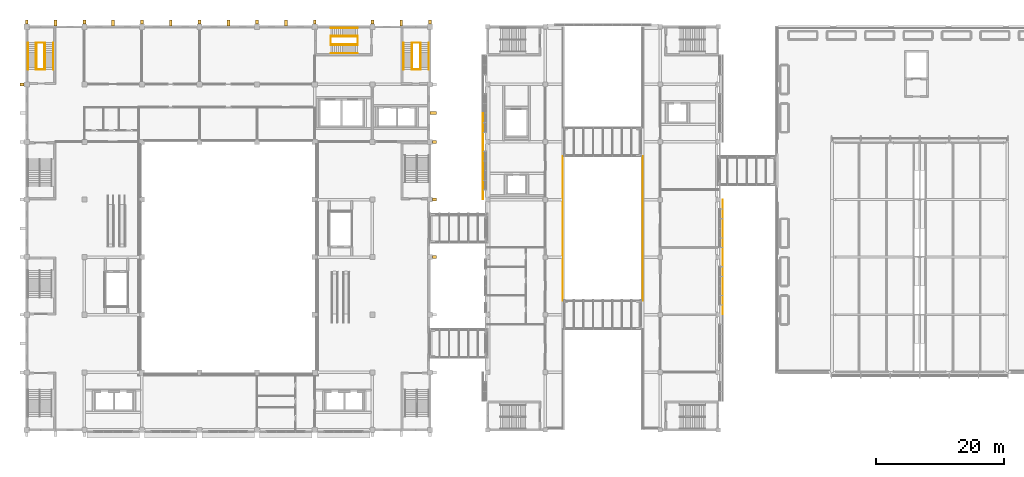
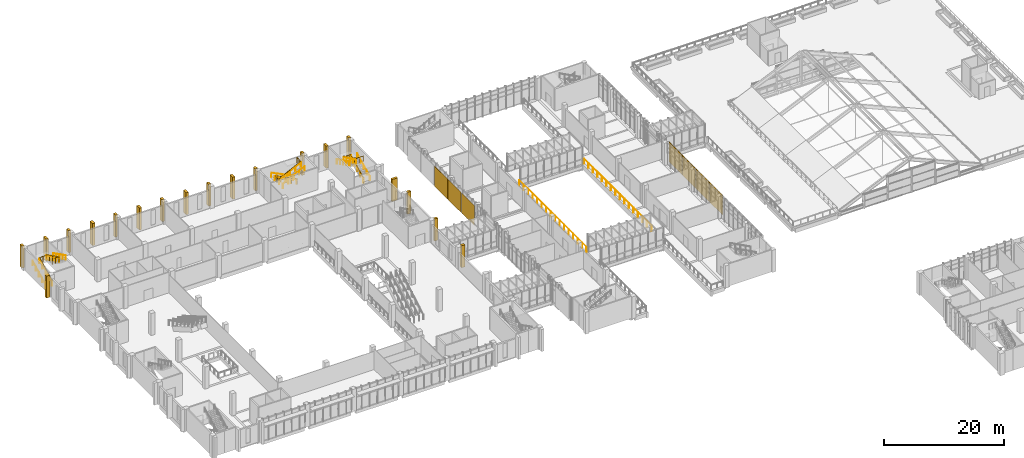
# One storey, part 100 of 106: 26 coverings, 17 railings.
"""IFC4 building model written with IfcOpenShell, lengths in metres."""

from ifc_helpers import new_model, si_unit, direction, frame, origin, origin_2d, place, context, subcontext, project, spatial, rectangle, circle, extrude, material, layer, layer_set, type_object, element, save


model = new_model("IFC4")

# Units and contexts
model_context = context("Model", 3, precision=1e-05, world=origin(), true_north=direction((0.0, 1.0)))
body_context = subcontext(model_context, "Body", "Model", "MODEL_VIEW")
ifc_project = project(units=[si_unit("LENGTHUNIT", "METRE"), si_unit("AREAUNIT", "SQUARE_METRE"), si_unit("VOLUMEUNIT", "CUBIC_METRE"), si_unit("PLANEANGLEUNIT", "RADIAN"), si_unit("MASSUNIT", "GRAM", prefix="KILO")], contexts=[model_context])

# Site, building, storey
site_placement = place(None, origin())
site = spatial("IfcSite", under=ifc_project, at=site_placement, CompositionType="ELEMENT")
building_placement = place(site_placement, origin())
building = spatial("IfcBuilding", under=site, at=building_placement, Name="Guidao Yard Department Store", CompositionType="ELEMENT")
storey_placement = place(building_placement, frame((0.0, 0.0, 10.5)))
storey = spatial("IfcBuildingStorey", under=building, at=storey_placement, Name="L02", CompositionType="ELEMENT", Elevation=10.5)

# Railings
ifc_material_1 = material(Name="Steel Q235", Category="steel")
railing_type_1 = type_object("IfcRailingType", Name="Guard steel balustrade 1100", PredefinedType="GUARDRAIL", material=ifc_material_1)
railing_1_placement = place(storey_placement, frame((1.52490234375, 101.300048828125, 0.14990234375)))
element("IfcRailing", 1, at=railing_1_placement, inside=storey, type_object=railing_type_1, Name="Stair A5 guard L02 5", PredefinedType="GUARDRAIL", context=body_context, shape_type="SweptSolid", body=[
    extrude(circle(Radius=0.02392578125, at=origin_2d()), frame((0.0, 0.0, 1.076171875), z_axis=(0.0, 0.894416792377, 0.447234392142), x_axis=(-1.0, 0.0, 0.0)), (0.0, 0.0, 1.0), 4.69580078125),
    extrude(circle(Radius=0.02392578125, at=origin_2d()), frame((0.0, 4.199951171875, 3.17626953125), z_axis=(1.0, 0.0, 0.0), x_axis=(0.0, 1.0, 0.0)), (0.0, 0.0, 1.0), 1.275146484375),
    extrude(circle(Radius=0.02392578125, at=origin_2d()), frame((1.275146484375, 4.199951171875, 3.17626953125), z_axis=(0.0, 0.0, 1.0), x_axis=(1.0, 0.0, 0.0)), (0.0, 0.0, 1.0), 0.14990234375),
    extrude(circle(Radius=0.02392578125, at=origin_2d()), frame((1.275146484375, 4.199951171875, 3.326171875), z_axis=(0.0, -0.894416792377, 0.447234392142), x_axis=(1.0, 0.0, 0.0)), (0.0, 0.0, 1.0), 4.69580078125),
    extrude(circle(Radius=0.02392578125, at=origin_2d()), frame((1.275146484375, 0.0, 5.42626953125), z_axis=(-1.0, 0.0, 0.0), x_axis=(0.0, -1.0, 0.0)), (0.0, 0.0, 1.0), 1.275146484375),
    extrude(circle(Radius=0.02099609375, at=origin_2d()), origin(), (0.0, 0.0, 1.0), 1.052001953125),
    extrude(circle(Radius=0.02099609375, at=origin_2d()), frame((0.0, 1.050048828125, 0.52490234375)), (0.0, 0.0, 1.0), 1.052001953125),
    extrude(circle(Radius=0.02099609375, at=origin_2d()), frame((0.0, 2.10009765625, 1.050048828125)), (0.0, 0.0, 1.0), 1.052001953125),
    extrude(circle(Radius=0.02099609375, at=origin_2d()), frame((0.0, 3.14990234375, 1.5751953125)), (0.0, 0.0, 1.0), 1.052001953125),
    extrude(circle(Radius=0.02099609375, at=origin_2d()), frame((0.0, 4.199951171875, 2.10009765625)), (0.0, 0.0, 1.0), 1.052001953125),
    extrude(circle(Radius=0.02099609375, at=origin_2d()), frame((0.6376953125, 4.199951171875, 2.10009765625)), (0.0, 0.0, 1.0), 1.052001953125),
    extrude(circle(Radius=0.02099609375, at=origin_2d()), frame((1.275146484375, 4.199951171875, 2.10009765625)), (0.0, 0.0, 1.0), 1.052001953125),
    extrude(circle(Radius=0.02099609375, at=origin_2d()), frame((1.275146484375, 4.199951171875, 2.25)), (0.0, 0.0, 1.0), 1.052001953125),
    extrude(circle(Radius=0.02099609375, at=origin_2d()), frame((1.275146484375, 3.14990234375, 2.77490234375)), (0.0, 0.0, 1.0), 1.052001953125),
    extrude(circle(Radius=0.02099609375, at=origin_2d()), frame((1.275146484375, 2.10009765625, 3.300048828125)), (0.0, 0.0, 1.0), 1.052001953125),
    extrude(circle(Radius=0.02099609375, at=origin_2d()), frame((1.275146484375, 1.050048828125, 3.8251953125)), (0.0, 0.0, 1.0), 1.052001953125),
    extrude(circle(Radius=0.02099609375, at=origin_2d()), frame((1.275146484375, 0.0, 4.35009765625)), (0.0, 0.0, 1.0), 1.052001953125),
    extrude(circle(Radius=0.02099609375, at=origin_2d()), frame((0.6376953125, 0.0, 4.35009765625)), (0.0, 0.0, 1.0), 1.052001953125),
    extrude(circle(Radius=0.02099609375, at=origin_2d()), frame((0.0, 0.0, 4.35009765625)), (0.0, 0.0, 1.0), 1.052001953125),
])
railing_2_placement = place(storey_placement, frame((61.47509765625, 101.300048828125, 0.14990234375)))
element("IfcRailing", 2, at=railing_2_placement, inside=storey, type_object=railing_type_1, Name="Stair A6 guard L02 6", PredefinedType="GUARDRAIL", context=body_context, shape_type="SweptSolid", body=[
    extrude(circle(Radius=0.02392578125, at=origin_2d()), frame((0.0, 0.0, 1.076171875), z_axis=(0.0, 0.894416792377, 0.447234392142), x_axis=(-1.0, 0.0, 0.0)), (0.0, 0.0, 1.0), 4.69580078125),
    extrude(circle(Radius=0.02392578125, at=origin_2d()), frame((0.0, 4.199951171875, 3.17626953125), z_axis=(-1.0, 0.0, 0.0), x_axis=(0.0, -1.0, 0.0)), (0.0, 0.0, 1.0), 1.275146484375),
    extrude(circle(Radius=0.02392578125, at=origin_2d()), frame((-1.275146484375, 4.199951171875, 3.17626953125), z_axis=(0.0, 0.0, 1.0), x_axis=(1.0, 0.0, 0.0)), (0.0, 0.0, 1.0), 0.14990234375),
    extrude(circle(Radius=0.02392578125, at=origin_2d()), frame((-1.275146484375, 4.199951171875, 3.326171875), z_axis=(0.0, -0.894416792377, 0.447234392142), x_axis=(1.0, 0.0, 0.0)), (0.0, 0.0, 1.0), 4.69580078125),
    extrude(circle(Radius=0.02392578125, at=origin_2d()), frame((-1.275146484375, 0.0, 5.42626953125), z_axis=(1.0, 0.0, 0.0), x_axis=(0.0, 1.0, 0.0)), (0.0, 0.0, 1.0), 1.275146484375),
    extrude(circle(Radius=0.02099609375, at=origin_2d()), origin(), (0.0, 0.0, 1.0), 1.052001953125),
    extrude(circle(Radius=0.02099609375, at=origin_2d()), frame((0.0, 1.050048828125, 0.52490234375)), (0.0, 0.0, 1.0), 1.052001953125),
    extrude(circle(Radius=0.02099609375, at=origin_2d()), frame((0.0, 2.10009765625, 1.050048828125)), (0.0, 0.0, 1.0), 1.052001953125),
    extrude(circle(Radius=0.02099609375, at=origin_2d()), frame((0.0, 3.14990234375, 1.5751953125)), (0.0, 0.0, 1.0), 1.052001953125),
    extrude(circle(Radius=0.02099609375, at=origin_2d()), frame((0.0, 4.199951171875, 2.10009765625)), (0.0, 0.0, 1.0), 1.052001953125),
    extrude(circle(Radius=0.02099609375, at=origin_2d()), frame((-0.6376953125, 4.199951171875, 2.10009765625)), (0.0, 0.0, 1.0), 1.052001953125),
    extrude(circle(Radius=0.02099609375, at=origin_2d()), frame((-1.275146484375, 4.199951171875, 2.10009765625)), (0.0, 0.0, 1.0), 1.052001953125),
    extrude(circle(Radius=0.02099609375, at=origin_2d()), frame((-1.275146484375, 4.199951171875, 2.25)), (0.0, 0.0, 1.0), 1.052001953125),
    extrude(circle(Radius=0.02099609375, at=origin_2d()), frame((-1.275146484375, 3.14990234375, 2.77490234375)), (0.0, 0.0, 1.0), 1.052001953125),
    extrude(circle(Radius=0.02099609375, at=origin_2d()), frame((-1.275146484375, 2.10009765625, 3.300048828125)), (0.0, 0.0, 1.0), 1.052001953125),
    extrude(circle(Radius=0.02099609375, at=origin_2d()), frame((-1.275146484375, 1.050048828125, 3.8251953125)), (0.0, 0.0, 1.0), 1.052001953125),
    extrude(circle(Radius=0.02099609375, at=origin_2d()), frame((-1.275146484375, 0.0, 4.35009765625)), (0.0, 0.0, 1.0), 1.052001953125),
    extrude(circle(Radius=0.02099609375, at=origin_2d()), frame((-0.6376953125, 0.0, 4.35009765625)), (0.0, 0.0, 1.0), 1.052001953125),
    extrude(circle(Radius=0.02099609375, at=origin_2d()), frame((0.0, 0.0, 4.35009765625)), (0.0, 0.0, 1.0), 1.052001953125),
])
railing_3_placement = place(storey_placement, frame((51.699951171875, 106.47509765625, 0.14990234375)))
element("IfcRailing", 3, at=railing_3_placement, inside=storey, type_object=railing_type_1, Name="Stair A7 guard L02 7", PredefinedType="GUARDRAIL", context=body_context, shape_type="SweptSolid", body=[
    extrude(circle(Radius=0.02392578125, at=origin_2d()), frame((0.0, 0.0, 1.076171875), z_axis=(-0.894416792377, 0.0, 0.447234392142), x_axis=(0.0, -1.0, 0.0)), (0.0, 0.0, 1.0), 4.69580078125),
    extrude(circle(Radius=0.02392578125, at=origin_2d()), frame((-4.199951171875, 0.0, 3.17626953125), z_axis=(0.0, -1.0, 0.0), x_axis=(1.0, 0.0, 0.0)), (0.0, 0.0, 1.0), 1.275146484375),
    extrude(circle(Radius=0.02392578125, at=origin_2d()), frame((-4.199951171875, -1.275146484375, 3.17626953125), z_axis=(0.0, 0.0, 1.0), x_axis=(1.0, 0.0, 0.0)), (0.0, 0.0, 1.0), 0.14990234375),
    extrude(circle(Radius=0.02392578125, at=origin_2d()), frame((-4.199951171875, -1.275146484375, 3.326171875), z_axis=(0.894416792377, 0.0, 0.447234392142), x_axis=(0.0, 1.0, 0.0)), (0.0, 0.0, 1.0), 4.69580078125),
    extrude(circle(Radius=0.02392578125, at=origin_2d()), frame((0.0, -1.275146484375, 5.42626953125), z_axis=(0.0, 1.0, 0.0), x_axis=(-1.0, 0.0, 0.0)), (0.0, 0.0, 1.0), 1.275146484375),
    extrude(circle(Radius=0.02099609375, at=origin_2d()), origin(), (0.0, 0.0, 1.0), 1.052001953125),
    extrude(circle(Radius=0.02099609375, at=origin_2d()), frame((-1.050048828125, 0.0, 0.52490234375)), (0.0, 0.0, 1.0), 1.052001953125),
    extrude(circle(Radius=0.02099609375, at=origin_2d()), frame((-2.10009765625, 0.0, 1.050048828125)), (0.0, 0.0, 1.0), 1.052001953125),
    extrude(circle(Radius=0.02099609375, at=origin_2d()), frame((-3.14990234375, 0.0, 1.5751953125)), (0.0, 0.0, 1.0), 1.052001953125),
    extrude(circle(Radius=0.02099609375, at=origin_2d()), frame((-4.199951171875, 0.0, 2.10009765625)), (0.0, 0.0, 1.0), 1.052001953125),
    extrude(circle(Radius=0.02099609375, at=origin_2d()), frame((-4.199951171875, -0.6376953125, 2.10009765625)), (0.0, 0.0, 1.0), 1.052001953125),
    extrude(circle(Radius=0.02099609375, at=origin_2d()), frame((-4.199951171875, -1.275146484375, 2.10009765625)), (0.0, 0.0, 1.0), 1.052001953125),
    extrude(circle(Radius=0.02099609375, at=origin_2d()), frame((-4.199951171875, -1.275146484375, 2.25)), (0.0, 0.0, 1.0), 1.052001953125),
    extrude(circle(Radius=0.02099609375, at=origin_2d()), frame((-3.14990234375, -1.275146484375, 2.77490234375)), (0.0, 0.0, 1.0), 1.052001953125),
    extrude(circle(Radius=0.02099609375, at=origin_2d()), frame((-2.10009765625, -1.275146484375, 3.300048828125)), (0.0, 0.0, 1.0), 1.052001953125),
    extrude(circle(Radius=0.02099609375, at=origin_2d()), frame((-1.050048828125, -1.275146484375, 3.8251953125)), (0.0, 0.0, 1.0), 1.052001953125),
    extrude(circle(Radius=0.02099609375, at=origin_2d()), frame((0.0, -1.275146484375, 4.35009765625)), (0.0, 0.0, 1.0), 1.052001953125),
    extrude(circle(Radius=0.02099609375, at=origin_2d()), frame((0.0, -0.6376953125, 4.35009765625)), (0.0, 0.0, 1.0), 1.052001953125),
    extrude(circle(Radius=0.02099609375, at=origin_2d()), frame((0.0, 0.0, 4.35009765625)), (0.0, 0.0, 1.0), 1.052001953125),
])
railing_4_placement = place(storey_placement, frame((83.75, 65.25, 0.0)))
element("IfcRailing", 4, at=railing_4_placement, inside=storey, type_object=railing_type_1, Name="Guard gallery W2 L02", PredefinedType="GUARDRAIL", context=body_context, shape_type="SweptSolid", body=[
    extrude(circle(Radius=0.02392578125, at=origin_2d()), frame((0.0, 0.0, 1.076171875), z_axis=(0.0, 1.0, 0.0), x_axis=(-1.0, 0.0, 0.0)), (0.0, 0.0, 1.0), 22.5),
    extrude(circle(Radius=0.02099609375, at=origin_2d()), origin(), (0.0, 0.0, 1.0), 1.052001953125),
    extrude(circle(Radius=0.02099609375, at=origin_2d()), frame((0.0, 1.5, 0.0)), (0.0, 0.0, 1.0), 1.052001953125),
    extrude(circle(Radius=0.02099609375, at=origin_2d()), frame((0.0, 3.0, 0.0)), (0.0, 0.0, 1.0), 1.052001953125),
    extrude(circle(Radius=0.02099609375, at=origin_2d()), frame((0.0, 4.5, 0.0)), (0.0, 0.0, 1.0), 1.052001953125),
    extrude(circle(Radius=0.02099609375, at=origin_2d()), frame((0.0, 6.0, 0.0)), (0.0, 0.0, 1.0), 1.052001953125),
    extrude(circle(Radius=0.02099609375, at=origin_2d()), frame((0.0, 7.5, 0.0)), (0.0, 0.0, 1.0), 1.052001953125),
    extrude(circle(Radius=0.02099609375, at=origin_2d()), frame((0.0, 9.0, 0.0)), (0.0, 0.0, 1.0), 1.052001953125),
    extrude(circle(Radius=0.02099609375, at=origin_2d()), frame((0.0, 10.5, 0.0)), (0.0, 0.0, 1.0), 1.052001953125),
    extrude(circle(Radius=0.02099609375, at=origin_2d()), frame((0.0, 12.0, 0.0)), (0.0, 0.0, 1.0), 1.052001953125),
    extrude(circle(Radius=0.02099609375, at=origin_2d()), frame((0.0, 13.5, 0.0)), (0.0, 0.0, 1.0), 1.052001953125),
    extrude(circle(Radius=0.02099609375, at=origin_2d()), frame((0.0, 15.0, 0.0)), (0.0, 0.0, 1.0), 1.052001953125),
    extrude(circle(Radius=0.02099609375, at=origin_2d()), frame((0.0, 16.5, 0.0)), (0.0, 0.0, 1.0), 1.052001953125),
    extrude(circle(Radius=0.02099609375, at=origin_2d()), frame((0.0, 18.0, 0.0)), (0.0, 0.0, 1.0), 1.052001953125),
    extrude(circle(Radius=0.02099609375, at=origin_2d()), frame((0.0, 19.5, 0.0)), (0.0, 0.0, 1.0), 1.052001953125),
    extrude(circle(Radius=0.02099609375, at=origin_2d()), frame((0.0, 21.0, 0.0)), (0.0, 0.0, 1.0), 1.052001953125),
    extrude(circle(Radius=0.02099609375, at=origin_2d()), frame((0.0, 22.5, 0.0)), (0.0, 0.0, 1.0), 1.052001953125),
])
railing_5_placement = place(storey_placement, frame((96.25, 65.25, 0.0)))
element("IfcRailing", 5, at=railing_5_placement, inside=storey, type_object=railing_type_1, Name="Guard gallery E2 L02", PredefinedType="GUARDRAIL", context=body_context, shape_type="SweptSolid", body=[
    extrude(circle(Radius=0.02392578125, at=origin_2d()), frame((0.0, 0.0, 1.076171875), z_axis=(0.0, 1.0, 0.0), x_axis=(-1.0, 0.0, 0.0)), (0.0, 0.0, 1.0), 22.5),
    extrude(circle(Radius=0.02099609375, at=origin_2d()), origin(), (0.0, 0.0, 1.0), 1.052001953125),
    extrude(circle(Radius=0.02099609375, at=origin_2d()), frame((0.0, 1.5, 0.0)), (0.0, 0.0, 1.0), 1.052001953125),
    extrude(circle(Radius=0.02099609375, at=origin_2d()), frame((0.0, 3.0, 0.0)), (0.0, 0.0, 1.0), 1.052001953125),
    extrude(circle(Radius=0.02099609375, at=origin_2d()), frame((0.0, 4.5, 0.0)), (0.0, 0.0, 1.0), 1.052001953125),
    extrude(circle(Radius=0.02099609375, at=origin_2d()), frame((0.0, 6.0, 0.0)), (0.0, 0.0, 1.0), 1.052001953125),
    extrude(circle(Radius=0.02099609375, at=origin_2d()), frame((0.0, 7.5, 0.0)), (0.0, 0.0, 1.0), 1.052001953125),
    extrude(circle(Radius=0.02099609375, at=origin_2d()), frame((0.0, 9.0, 0.0)), (0.0, 0.0, 1.0), 1.052001953125),
    extrude(circle(Radius=0.02099609375, at=origin_2d()), frame((0.0, 10.5, 0.0)), (0.0, 0.0, 1.0), 1.052001953125),
    extrude(circle(Radius=0.02099609375, at=origin_2d()), frame((0.0, 12.0, 0.0)), (0.0, 0.0, 1.0), 1.052001953125),
    extrude(circle(Radius=0.02099609375, at=origin_2d()), frame((0.0, 13.5, 0.0)), (0.0, 0.0, 1.0), 1.052001953125),
    extrude(circle(Radius=0.02099609375, at=origin_2d()), frame((0.0, 15.0, 0.0)), (0.0, 0.0, 1.0), 1.052001953125),
    extrude(circle(Radius=0.02099609375, at=origin_2d()), frame((0.0, 16.5, 0.0)), (0.0, 0.0, 1.0), 1.052001953125),
    extrude(circle(Radius=0.02099609375, at=origin_2d()), frame((0.0, 18.0, 0.0)), (0.0, 0.0, 1.0), 1.052001953125),
    extrude(circle(Radius=0.02099609375, at=origin_2d()), frame((0.0, 19.5, 0.0)), (0.0, 0.0, 1.0), 1.052001953125),
    extrude(circle(Radius=0.02099609375, at=origin_2d()), frame((0.0, 21.0, 0.0)), (0.0, 0.0, 1.0), 1.052001953125),
    extrude(circle(Radius=0.02099609375, at=origin_2d()), frame((0.0, 22.5, 0.0)), (0.0, 0.0, 1.0), 1.052001953125),
])
ifc_material_2 = material(Name="Steel Q235", Category="steel")
railing_type_2 = type_object("IfcRailingType", Name="Handrail steel tube 48", PredefinedType="HANDRAIL", material=ifc_material_2)
for number, where, name in (
    (6, (0.18505859375, 101.300048828125, 0.14990234375), "Stair A5 hand rail L02 17"),
    (7, (1.465087890625, 101.300048828125, 0.14990234375), "Stair A5 hand rail L02 18"),
):
    element("IfcRailing", number, at=place(storey_placement, frame(where)), inside=storey, type_object=railing_type_2, Name=name, PredefinedType="HANDRAIL", context=body_context, shape_type="SweptSolid", body=[
        extrude(circle(Radius=0.02392578125, at=origin_2d()), frame((0.0, 0.0, 0.8759765625), z_axis=(0.0, 0.894416792377, 0.447234392142), x_axis=(-1.0, 0.0, 0.0)), (0.0, 0.0, 1.0), 4.69580078125),
        extrude(circle(Radius=0.02099609375, at=origin_2d()), origin(), (0.0, 0.0, 1.0), 0.851806640625),
        extrude(circle(Radius=0.02099609375, at=origin_2d()), frame((0.0, 1.050048828125, 0.52490234375)), (0.0, 0.0, 1.0), 0.851806640625),
        extrude(circle(Radius=0.02099609375, at=origin_2d()), frame((0.0, 2.10009765625, 1.050048828125)), (0.0, 0.0, 1.0), 0.851806640625),
        extrude(circle(Radius=0.02099609375, at=origin_2d()), frame((0.0, 3.14990234375, 1.5751953125)), (0.0, 0.0, 1.0), 0.851806640625),
        extrude(circle(Radius=0.02099609375, at=origin_2d()), frame((0.0, 4.199951171875, 2.10009765625)), (0.0, 0.0, 1.0), 0.851806640625),
    ])
for number, where, name in (
    (8, (2.860107421875, 105.5, 2.39990234375), "Stair A5 hand rail L02 19"),
    (9, (4.139892578125, 105.5, 2.39990234375), "Stair A5 hand rail L02 20"),
):
    element("IfcRailing", number, at=place(storey_placement, frame(where)), inside=storey, type_object=railing_type_2, Name=name, PredefinedType="HANDRAIL", context=body_context, shape_type="SweptSolid", body=[
        extrude(circle(Radius=0.02392578125, at=origin_2d()), frame((0.0, 0.0, 0.8759765625), z_axis=(0.0, -0.894416792377, 0.447234392142), x_axis=(1.0, 0.0, 0.0)), (0.0, 0.0, 1.0), 4.69580078125),
        extrude(circle(Radius=0.02099609375, at=origin_2d()), origin(), (0.0, 0.0, 1.0), 0.851806640625),
        extrude(circle(Radius=0.02099609375, at=origin_2d()), frame((0.0, -1.050048828125, 0.52490234375)), (0.0, 0.0, 1.0), 0.851806640625),
        extrude(circle(Radius=0.02099609375, at=origin_2d()), frame((0.0, -2.10009765625, 1.050048828125)), (0.0, 0.0, 1.0), 0.851806640625),
        extrude(circle(Radius=0.02099609375, at=origin_2d()), frame((0.0, -3.14990234375, 1.5751953125)), (0.0, 0.0, 1.0), 0.851806640625),
        extrude(circle(Radius=0.02099609375, at=origin_2d()), frame((0.0, -4.199951171875, 2.10009765625)), (0.0, 0.0, 1.0), 0.851806640625),
    ])
for number, where, name in (
    (10, (62.81494140625, 101.300048828125, 0.14990234375), "Stair A6 hand rail L02 21"),
    (11, (61.534912109375, 101.300048828125, 0.14990234375), "Stair A6 hand rail L02 22"),
):
    element("IfcRailing", number, at=place(storey_placement, frame(where)), inside=storey, type_object=railing_type_2, Name=name, PredefinedType="HANDRAIL", context=body_context, shape_type="SweptSolid", body=[
        extrude(circle(Radius=0.02392578125, at=origin_2d()), frame((0.0, 0.0, 0.8759765625), z_axis=(0.0, 0.894416792377, 0.447234392142), x_axis=(-1.0, 0.0, 0.0)), (0.0, 0.0, 1.0), 4.69580078125),
        extrude(circle(Radius=0.02099609375, at=origin_2d()), origin(), (0.0, 0.0, 1.0), 0.851806640625),
        extrude(circle(Radius=0.02099609375, at=origin_2d()), frame((0.0, 1.050048828125, 0.52490234375)), (0.0, 0.0, 1.0), 0.851806640625),
        extrude(circle(Radius=0.02099609375, at=origin_2d()), frame((0.0, 2.10009765625, 1.050048828125)), (0.0, 0.0, 1.0), 0.851806640625),
        extrude(circle(Radius=0.02099609375, at=origin_2d()), frame((0.0, 3.14990234375, 1.5751953125)), (0.0, 0.0, 1.0), 0.851806640625),
        extrude(circle(Radius=0.02099609375, at=origin_2d()), frame((0.0, 4.199951171875, 2.10009765625)), (0.0, 0.0, 1.0), 0.851806640625),
    ])
for number, where, name in (
    (12, (60.139892578125, 105.5, 2.39990234375), "Stair A6 hand rail L02 23"),
    (13, (58.860107421875, 105.5, 2.39990234375), "Stair A6 hand rail L02 24"),
):
    element("IfcRailing", number, at=place(storey_placement, frame(where)), inside=storey, type_object=railing_type_2, Name=name, PredefinedType="HANDRAIL", context=body_context, shape_type="SweptSolid", body=[
        extrude(circle(Radius=0.02392578125, at=origin_2d()), frame((0.0, 0.0, 0.8759765625), z_axis=(0.0, -0.894416792377, 0.447234392142), x_axis=(1.0, 0.0, 0.0)), (0.0, 0.0, 1.0), 4.69580078125),
        extrude(circle(Radius=0.02099609375, at=origin_2d()), origin(), (0.0, 0.0, 1.0), 0.851806640625),
        extrude(circle(Radius=0.02099609375, at=origin_2d()), frame((0.0, -1.050048828125, 0.52490234375)), (0.0, 0.0, 1.0), 0.851806640625),
        extrude(circle(Radius=0.02099609375, at=origin_2d()), frame((0.0, -2.10009765625, 1.050048828125)), (0.0, 0.0, 1.0), 0.851806640625),
        extrude(circle(Radius=0.02099609375, at=origin_2d()), frame((0.0, -3.14990234375, 1.5751953125)), (0.0, 0.0, 1.0), 0.851806640625),
        extrude(circle(Radius=0.02099609375, at=origin_2d()), frame((0.0, -4.199951171875, 2.10009765625)), (0.0, 0.0, 1.0), 0.851806640625),
    ])
for number, where, name in (
    (14, (51.699951171875, 107.81494140625, 0.14990234375), "Stair A7 hand rail L02 25"),
    (15, (51.699951171875, 106.534912109375, 0.14990234375), "Stair A7 hand rail L02 26"),
):
    element("IfcRailing", number, at=place(storey_placement, frame(where)), inside=storey, type_object=railing_type_2, Name=name, PredefinedType="HANDRAIL", context=body_context, shape_type="SweptSolid", body=[
        extrude(circle(Radius=0.02392578125, at=origin_2d()), frame((0.0, 0.0, 0.8759765625), z_axis=(-0.894416792377, 0.0, 0.447234392142), x_axis=(0.0, -1.0, 0.0)), (0.0, 0.0, 1.0), 4.69580078125),
        extrude(circle(Radius=0.02099609375, at=origin_2d()), origin(), (0.0, 0.0, 1.0), 0.851806640625),
        extrude(circle(Radius=0.02099609375, at=origin_2d()), frame((-1.050048828125, 0.0, 0.52490234375)), (0.0, 0.0, 1.0), 0.851806640625),
        extrude(circle(Radius=0.02099609375, at=origin_2d()), frame((-2.10009765625, 0.0, 1.050048828125)), (0.0, 0.0, 1.0), 0.851806640625),
        extrude(circle(Radius=0.02099609375, at=origin_2d()), frame((-3.14990234375, 0.0, 1.5751953125)), (0.0, 0.0, 1.0), 0.851806640625),
        extrude(circle(Radius=0.02099609375, at=origin_2d()), frame((-4.199951171875, 0.0, 2.10009765625)), (0.0, 0.0, 1.0), 0.851806640625),
    ])
for number, where, name in (
    (16, (47.5, 105.139892578125, 2.39990234375), "Stair A7 hand rail L02 27"),
    (17, (47.5, 103.860107421875, 2.39990234375), "Stair A7 hand rail L02 28"),
):
    element("IfcRailing", number, at=place(storey_placement, frame(where)), inside=storey, type_object=railing_type_2, Name=name, PredefinedType="HANDRAIL", context=body_context, shape_type="SweptSolid", body=[
        extrude(circle(Radius=0.02392578125, at=origin_2d()), frame((0.0, 0.0, 0.8759765625), z_axis=(0.894416792377, 0.0, 0.447234392142), x_axis=(0.0, 1.0, 0.0)), (0.0, 0.0, 1.0), 4.69580078125),
        extrude(circle(Radius=0.02099609375, at=origin_2d()), origin(), (0.0, 0.0, 1.0), 0.851806640625),
        extrude(circle(Radius=0.02099609375, at=origin_2d()), frame((1.050048828125, 0.0, 0.52490234375)), (0.0, 0.0, 1.0), 0.851806640625),
        extrude(circle(Radius=0.02099609375, at=origin_2d()), frame((2.10009765625, 0.0, 1.050048828125)), (0.0, 0.0, 1.0), 0.851806640625),
        extrude(circle(Radius=0.02099609375, at=origin_2d()), frame((3.14990234375, 0.0, 1.5751953125)), (0.0, 0.0, 1.0), 0.851806640625),
        extrude(circle(Radius=0.02099609375, at=origin_2d()), frame((4.199951171875, 0.0, 2.10009765625)), (0.0, 0.0, 1.0), 0.851806640625),
    ])

# Coverings
ifc_material_3 = material(Name="Galvanised steel Q235 perforated plate", Category="steel")
ifc_layer_1 = layer(ifc_material_3, 0.0400390625)
ifc_layer_set_1 = layer_set([ifc_layer_1], Name="Perforated screen PS1 galvanised steel")
covering_type_1 = type_object("IfcCoveringType", Name="Perforated screen PS1 galvanised steel", PredefinedType="CLADDING", material=ifc_layer_set_1)
for number, where, z_axis, x_axis, name in (
    (18, (71.27001953125, 83.25, 0.199951171875), (0.0, 0.0, 1.0), (0.0, 1.0, 0.0), "Perforated screen"),
    (19, (71.27001953125, 87.75, 0.199951171875), (0.0, 0.0, 1.0), (0.0, 1.0, 0.0), "Perforated screen"),
    (20, (71.27001953125, 92.25, 0.199951171875), (0.0, 0.0, 1.0), (0.0, 1.0, 0.0), "Perforated screen"),
    (21, (108.72998046875, 65.25, 0.199951171875), (0.0, 0.0, 1.0), (0.0, -1.0, 0.0), "Perforated screen"),
    (22, (108.72998046875, 69.75, 0.199951171875), (0.0, 0.0, 1.0), (0.0, -1.0, 0.0), "Perforated screen"),
    (23, (108.72998046875, 74.25, 0.199951171875), (0.0, 0.0, 1.0), (0.0, -1.0, 0.0), "Perforated screen"),
    (24, (108.72998046875, 78.75, 0.199951171875), (0.0, 0.0, 1.0), (0.0, -1.0, 0.0), "Perforated screen"),
):
    element("IfcCovering", number, at=place(storey_placement, frame(where, z_axis=z_axis, x_axis=x_axis)), inside=storey, type_object=covering_type_1, Name=name, PredefinedType="CLADDING", context=body_context, shape_type="SweptSolid", body=[
        extrude(rectangle(XDim=4.39990234375, YDim=0.0400390625, at=origin_2d()), origin(), (0.0, 0.0, 1.0), 4.10009765625),
    ])
ifc_material_4 = material(Name="Precast concrete C40/50", Category="concrete")
ifc_layer_2 = layer(ifc_material_4, 0.449951171875)
ifc_layer_set_2 = layer_set([ifc_layer_2], Name="Precast fin FN1 board-formed concrete")
covering_type_2 = type_object("IfcCoveringType", Name="Precast fin FN1 board-formed concrete", PredefinedType="CLADDING", material=ifc_layer_set_2)
for number, where, z_axis, x_axis, name in (
    (25, (-0.72509765625, 99.0, 0.0), (0.0, 0.0, 1.0), (0.0, 1.0, 0.0), "Precast fin"),
    (26, (0.0, 108.72509765625, 0.0), (0.0, 0.0, 1.0), (1.0, 0.0, 0.0), "Precast fin"),
):
    element("IfcCovering", number, at=place(storey_placement, frame(where, z_axis=z_axis, x_axis=x_axis)), inside=storey, type_object=covering_type_2, Name=name, PredefinedType="CLADDING", context=body_context, shape_type="SweptSolid", body=[
        extrude(rectangle(XDim=0.449951171875, YDim=0.64990234375, at=origin_2d()), origin(), (0.0, 0.0, 1.0), 4.5),
    ])
covering_1_placement = place(storey_placement, frame((4.5, 108.60009765625, 0.0), z_axis=(0.0, 0.0, 1.0), x_axis=(1.0, 0.0, 0.0)))
element("IfcCovering", 27, at=covering_1_placement, inside=storey, type_object=covering_type_2, Name="Precast fin", PredefinedType="CLADDING", context=body_context, shape_type="SweptSolid", body=[
    extrude(rectangle(XDim=0.449951171875, YDim=0.89990234375, at=origin_2d()), origin(), (0.0, 0.0, 1.0), 4.5),
])
covering_2_placement = place(storey_placement, frame((9.0, 108.72509765625, 0.0), z_axis=(0.0, 0.0, 1.0), x_axis=(1.0, 0.0, 0.0)))
element("IfcCovering", 28, at=covering_2_placement, inside=storey, type_object=covering_type_2, Name="Precast fin", PredefinedType="CLADDING", context=body_context, shape_type="SweptSolid", body=[
    extrude(rectangle(XDim=0.449951171875, YDim=0.64990234375, at=origin_2d()), origin(), (0.0, 0.0, 1.0), 4.5),
])
covering_3_placement = place(storey_placement, frame((13.5, 108.60009765625, 0.0), z_axis=(0.0, 0.0, 1.0), x_axis=(1.0, 0.0, 0.0)))
element("IfcCovering", 29, at=covering_3_placement, inside=storey, type_object=covering_type_2, Name="Precast fin", PredefinedType="CLADDING", context=body_context, shape_type="SweptSolid", body=[
    extrude(rectangle(XDim=0.449951171875, YDim=0.89990234375, at=origin_2d()), origin(), (0.0, 0.0, 1.0), 4.5),
])
covering_4_placement = place(storey_placement, frame((18.0, 108.72509765625, 0.0), z_axis=(0.0, 0.0, 1.0), x_axis=(1.0, 0.0, 0.0)))
element("IfcCovering", 30, at=covering_4_placement, inside=storey, type_object=covering_type_2, Name="Precast fin", PredefinedType="CLADDING", context=body_context, shape_type="SweptSolid", body=[
    extrude(rectangle(XDim=0.449951171875, YDim=0.64990234375, at=origin_2d()), origin(), (0.0, 0.0, 1.0), 4.5),
])
covering_5_placement = place(storey_placement, frame((22.5, 108.60009765625, 0.0), z_axis=(0.0, 0.0, 1.0), x_axis=(1.0, 0.0, 0.0)))
element("IfcCovering", 31, at=covering_5_placement, inside=storey, type_object=covering_type_2, Name="Precast fin", PredefinedType="CLADDING", context=body_context, shape_type="SweptSolid", body=[
    extrude(rectangle(XDim=0.449951171875, YDim=0.89990234375, at=origin_2d()), origin(), (0.0, 0.0, 1.0), 4.5),
])
covering_6_placement = place(storey_placement, frame((27.0, 108.72509765625, 0.0), z_axis=(0.0, 0.0, 1.0), x_axis=(1.0, 0.0, 0.0)))
element("IfcCovering", 32, at=covering_6_placement, inside=storey, type_object=covering_type_2, Name="Precast fin", PredefinedType="CLADDING", context=body_context, shape_type="SweptSolid", body=[
    extrude(rectangle(XDim=0.449951171875, YDim=0.64990234375, at=origin_2d()), origin(), (0.0, 0.0, 1.0), 4.5),
])
covering_7_placement = place(storey_placement, frame((31.5, 108.60009765625, 0.0), z_axis=(0.0, 0.0, 1.0), x_axis=(1.0, 0.0, 0.0)))
element("IfcCovering", 33, at=covering_7_placement, inside=storey, type_object=covering_type_2, Name="Precast fin", PredefinedType="CLADDING", context=body_context, shape_type="SweptSolid", body=[
    extrude(rectangle(XDim=0.449951171875, YDim=0.89990234375, at=origin_2d()), origin(), (0.0, 0.0, 1.0), 4.5),
])
covering_8_placement = place(storey_placement, frame((36.0, 108.72509765625, 0.0), z_axis=(0.0, 0.0, 1.0), x_axis=(1.0, 0.0, 0.0)))
element("IfcCovering", 34, at=covering_8_placement, inside=storey, type_object=covering_type_2, Name="Precast fin", PredefinedType="CLADDING", context=body_context, shape_type="SweptSolid", body=[
    extrude(rectangle(XDim=0.449951171875, YDim=0.64990234375, at=origin_2d()), origin(), (0.0, 0.0, 1.0), 4.5),
])
covering_9_placement = place(storey_placement, frame((40.5, 108.60009765625, 0.0), z_axis=(0.0, 0.0, 1.0), x_axis=(1.0, 0.0, 0.0)))
element("IfcCovering", 35, at=covering_9_placement, inside=storey, type_object=covering_type_2, Name="Precast fin", PredefinedType="CLADDING", context=body_context, shape_type="SweptSolid", body=[
    extrude(rectangle(XDim=0.449951171875, YDim=0.89990234375, at=origin_2d()), origin(), (0.0, 0.0, 1.0), 4.5),
])
for number, where, z_axis, x_axis, name in (
    (36, (45.0, 108.72509765625, 0.0), (0.0, 0.0, 1.0), (1.0, 0.0, 0.0), "Precast fin"),
    (37, (54.0, 108.72509765625, 0.0), (0.0, 0.0, 1.0), (1.0, 0.0, 0.0), "Precast fin"),
):
    element("IfcCovering", number, at=place(storey_placement, frame(where, z_axis=z_axis, x_axis=x_axis)), inside=storey, type_object=covering_type_2, Name=name, PredefinedType="CLADDING", context=body_context, shape_type="SweptSolid", body=[
        extrude(rectangle(XDim=0.449951171875, YDim=0.64990234375, at=origin_2d()), origin(), (0.0, 0.0, 1.0), 4.5),
    ])
covering_10_placement = place(storey_placement, frame((58.5, 108.60009765625, 0.0), z_axis=(0.0, 0.0, 1.0), x_axis=(1.0, 0.0, 0.0)))
element("IfcCovering", 38, at=covering_10_placement, inside=storey, type_object=covering_type_2, Name="Precast fin", PredefinedType="CLADDING", context=body_context, shape_type="SweptSolid", body=[
    extrude(rectangle(XDim=0.449951171875, YDim=0.89990234375, at=origin_2d()), origin(), (0.0, 0.0, 1.0), 4.5),
])
for number, where, z_axis, x_axis, name in (
    (39, (63.0, 108.72509765625, 0.0), (0.0, 0.0, 1.0), (1.0, 0.0, 0.0), "Precast fin"),
    (40, (63.72509765625, 72.0, 0.0), (0.0, 0.0, 1.0), (0.0, -1.0, 0.0), "Precast fin"),
    (41, (63.72509765625, 81.0, 0.0), (0.0, 0.0, 1.0), (0.0, -1.0, 0.0), "Precast fin"),
    (42, (63.72509765625, 90.0, 0.0), (0.0, 0.0, 1.0), (0.0, -1.0, 0.0), "Precast fin"),
):
    element("IfcCovering", number, at=place(storey_placement, frame(where, z_axis=z_axis, x_axis=x_axis)), inside=storey, type_object=covering_type_2, Name=name, PredefinedType="CLADDING", context=body_context, shape_type="SweptSolid", body=[
        extrude(rectangle(XDim=0.449951171875, YDim=0.64990234375, at=origin_2d()), origin(), (0.0, 0.0, 1.0), 4.5),
    ])
covering_11_placement = place(storey_placement, frame((63.52490234375, 94.5, 0.0), z_axis=(0.0, 0.0, 1.0), x_axis=(0.0, -1.0, 0.0)))
element("IfcCovering", 43, at=covering_11_placement, inside=storey, type_object=covering_type_2, Name="Precast fin", PredefinedType="CLADDING", context=body_context, shape_type="SweptSolid", body=[
    extrude(rectangle(XDim=0.449951171875, YDim=1.050048828125, at=origin_2d()), origin(), (0.0, 0.0, 1.0), 4.5),
])

save(model, "model.ifc")
